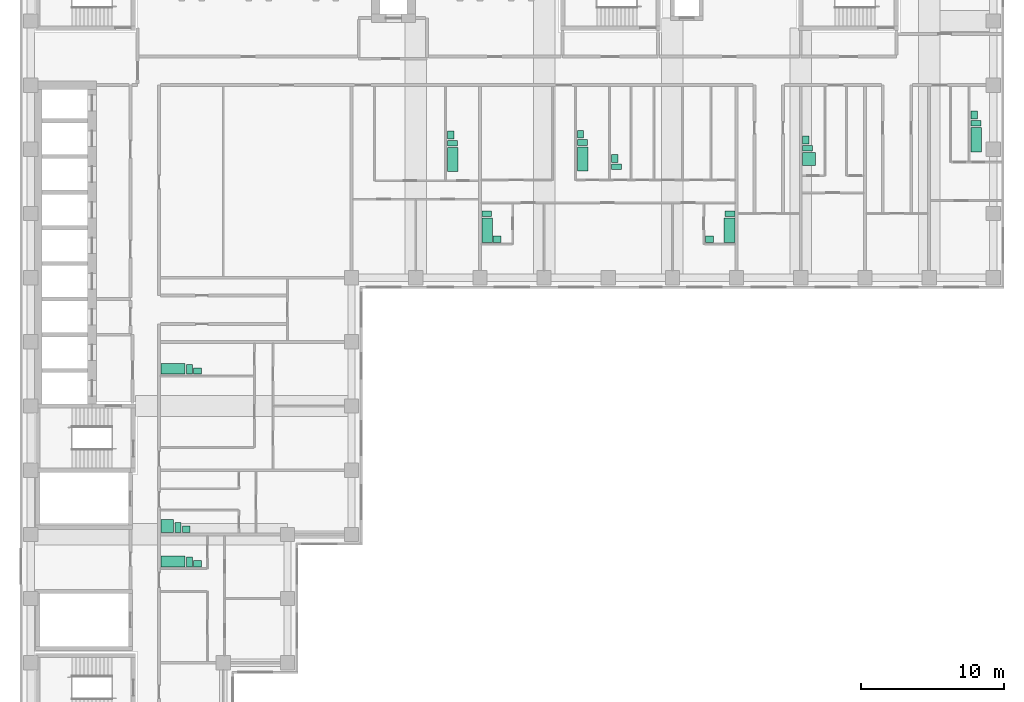
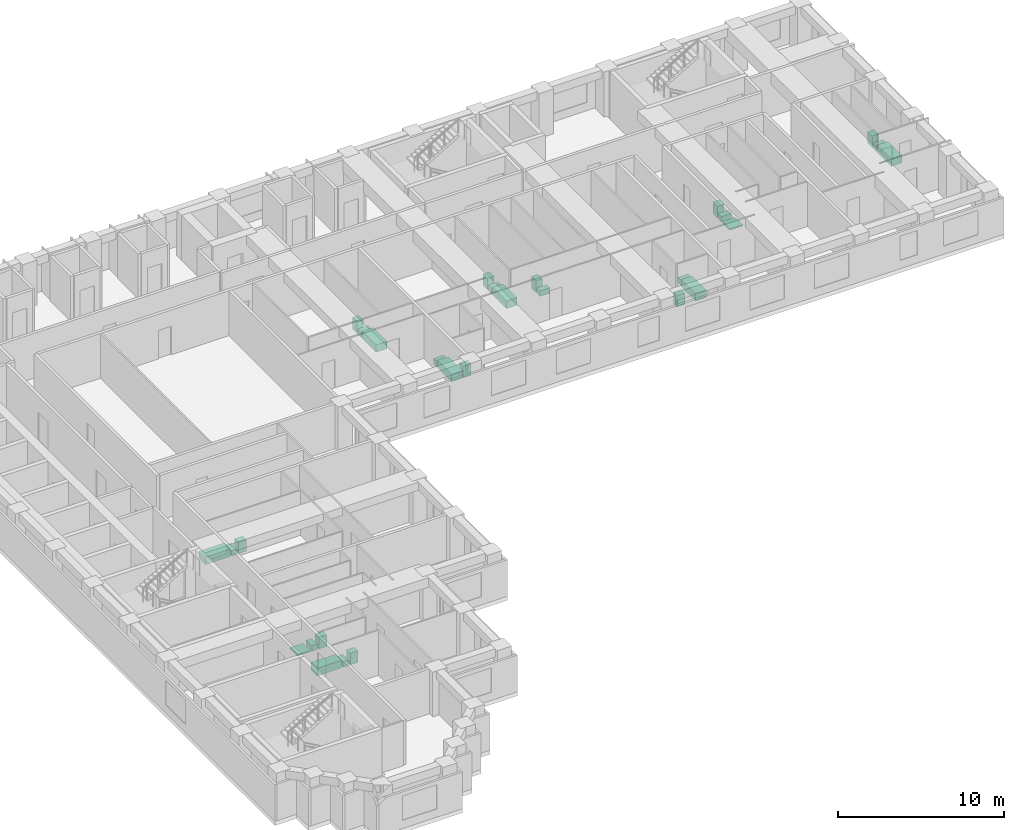
# One storey, part 12 of 12: 29 sanitary terminals.
"""IFC4 building model written with IfcOpenShell, lengths in metres."""

import ifcopenshell
import ifcopenshell.guid

model = None  # the IFC model being written
_history = None  # IfcOwnerHistory: only IFC2X3 demands one
_inside = {}  # id of a spatial element -> (the spatial element, [elements in it])
_under = {}  # id of a project, library or spatial element -> (it, [spatial elements below it])
_declared = {}  # id of a project -> (the project, [libraries it declares])
_typed = {}  # id of a type object -> (the type object, [elements of that type])
_made_of = {}  # id of a material, layer set ... -> (it, [elements and type objects made of it])


def new_model(schema):
    """Start an empty IFC model of exactly this schema.

    Asked for "IFC4X3", IfcOpenShell would pick the latest addendum, in which some entities
    have other attributes; the version numbers below select the first issue.
    IFC2X3 requires an IfcOwnerHistory on every rooted entity: one is made here for all.
    """
    global model, _history
    if schema == "IFC4X3":
        model = ifcopenshell.file(schema_version=(4, 3, 0, 0))
    else:
        model = ifcopenshell.file(schema=schema)
    _inside.clear()
    _under.clear()
    _declared.clear()
    _typed.clear()
    _made_of.clear()
    _history = None
    if model.schema == "IFC2X3":
        org = make("IfcOrganization", Name="unknown")
        user = make(
            "IfcPersonAndOrganization",
            ThePerson=make("IfcPerson", FamilyName="unknown"),
            TheOrganization=org,
        )
        app = make(
            "IfcApplication",
            ApplicationDeveloper=org,
            Version="unknown",
            ApplicationFullName="unknown",
            ApplicationIdentifier="unknown",
        )
        _history = make(
            "IfcOwnerHistory",
            OwningUser=user,
            OwningApplication=app,
            ChangeAction="ADDED",
            CreationDate=0,
        )
    return model


def make(cls, **values):
    """One entity of the class cls with the attributes given. An attribute that is None is left unset."""
    return model.create_entity(
        cls, **{name: value for name, value in values.items() if value is not None}
    )


def rooted(cls, **values):
    """An entity with a GlobalId (a new one), such as an element, a storey or a relation."""
    return make(cls, GlobalId=ifcopenshell.guid.new(), OwnerHistory=_history, **values)


def si_unit(unit_type, name, prefix=None):
    """IfcSIUnit, for example si_unit("LENGTHUNIT", "METRE", prefix="MILLI")."""
    return make("IfcSIUnit", UnitType=unit_type, Prefix=prefix, Name=name)


def assignment(units):
    """IfcUnitAssignment: the units of a project."""
    return None if units is None else make("IfcUnitAssignment", Units=units)


def point(xyz):
    """IfcCartesianPoint."""
    return None if xyz is None else make("IfcCartesianPoint", Coordinates=xyz)


def direction(xyz):
    """IfcDirection."""
    return None if xyz is None else make("IfcDirection", DirectionRatios=xyz)


def frame(location, z_axis=None, x_axis=None):
    """IfcAxis2Placement3D, a coordinate frame: its origin and axes. An axis left out is left unset."""
    return make(
        "IfcAxis2Placement3D",
        Location=point(location),
        Axis=direction(z_axis),
        RefDirection=direction(x_axis),
    )


def frame_2d(location, x_axis=None):
    """IfcAxis2Placement2D, a coordinate frame in the plane: its origin and x axis."""
    return make(
        "IfcAxis2Placement2D", Location=point(location), RefDirection=direction(x_axis)
    )


def origin():
    """The frame at (0, 0, 0) with its axes left unset."""
    return frame((0.0, 0.0, 0.0))


def origin_2d():
    """The frame at (0, 0) in the plane with its x axis left unset."""
    return frame_2d((0.0, 0.0))


def place(relative_to, where):
    """IfcLocalPlacement: puts the frame where relative to a parent placement (None: the world)."""
    return make(
        "IfcLocalPlacement", PlacementRelTo=relative_to, RelativePlacement=where
    )


def context(
    kind, dimensions, precision=None, world=None, true_north=None, identifier=None
):
    """IfcGeometricRepresentationContext, for example the 3D "Model" context."""
    return make(
        "IfcGeometricRepresentationContext",
        ContextIdentifier=identifier,
        ContextType=kind,
        CoordinateSpaceDimension=dimensions,
        Precision=precision,
        WorldCoordinateSystem=world,
        TrueNorth=true_north,
    )


def subcontext(parent, identifier, kind, view, scale=None):
    """IfcGeometricRepresentationSubContext, for example "Body" below "Model"."""
    return make(
        "IfcGeometricRepresentationSubContext",
        ContextIdentifier=identifier,
        ContextType=kind,
        ParentContext=parent,
        TargetScale=scale,
        TargetView=view,
    )


def project(units=None, contexts=None):
    """IfcProject with its units and contexts."""
    return rooted(
        "IfcProject",
        Name="project",
        RepresentationContexts=contexts,
        UnitsInContext=assignment(units),
    )


def spatial(cls, under=None, at=None, **own):
    """A site, building, storey or space (cls), placed at a placement, below another one or the project."""
    s = rooted(cls, ObjectPlacement=at, **own)
    if under is not None:
        _under.setdefault(under.id(), (under, []))[1].append(s)
    return s


def profile(cls, at=None, kind="AREA", **sizes):
    """A parametric profile (cls). Its sizes go by their IFC names, for example OverallWidth=200.0."""
    return make(cls, ProfileType=kind, Position=at, **sizes)


def rectangle(**sizes):
    """IfcRectangleProfileDef."""
    return profile("IfcRectangleProfileDef", **sizes)


def extrude(swept, where, along, depth):
    """IfcExtrudedAreaSolid: the profile swept, set in the frame where, extruded along a direction by depth."""
    return make(
        "IfcExtrudedAreaSolid",
        SweptArea=swept,
        Position=where,
        ExtrudedDirection=direction(along),
        Depth=depth,
    )


def shape(context_of_items, identifier, shape_type, items):
    """IfcShapeRepresentation: the items that make up one representation, for example the "Body"."""
    return make(
        "IfcShapeRepresentation",
        ContextOfItems=context_of_items,
        RepresentationIdentifier=identifier,
        RepresentationType=shape_type,
        Items=items,
    )


def material(Name=None, Category=None):
    """IfcMaterial."""
    return make("IfcMaterial", Name=Name, Category=Category)


def made_of(thing, what):
    """Note that an element or type object is made of a material, layer set ...; save() writes the relation."""
    if what is not None:
        _made_of.setdefault(what.id(), (what, []))[1].append(thing)
    return thing


def type_object(cls, material=None, **own):
    """A type object (cls), such as IfcWallType, which elements share."""
    return made_of(rooted(cls, **own), material)


def element(
    cls,
    number,
    at=None,
    inside=None,
    cuts=None,
    type_object=None,
    material=None,
    context=None,
    identifier="Body",
    shape_type=None,
    held_by="IfcProductDefinitionShape",
    body=None,
    shapes=None,
    **own,
):
    """One element of the class cls, such as IfcWall. Its Tag is "e" and its number.

    at: its placement. inside: the storey or other place that contains it. cuts: it is an
    opening in that element (IfcRelVoidsElement). A single representation is given by context,
    identifier, shape_type and body (its items); several are given by shapes. held_by: the class
    of the entity that holds the representations. save() writes the other relations.
    """
    e = rooted(cls, Tag="e%d" % number, ObjectPlacement=at, **own)
    if body is not None:
        shapes = [shape(context, identifier, shape_type, body)]
    if shapes is not None:
        e.Representation = make(held_by, Representations=shapes)
    if inside is not None:
        _inside.setdefault(inside.id(), (inside, []))[1].append(e)
    if cuts is not None:
        rooted(
            "IfcRelVoidsElement", RelatingBuildingElement=cuts, RelatedOpeningElement=e
        )
    if type_object is not None:
        _typed.setdefault(type_object.id(), (type_object, []))[1].append(e)
    return made_of(e, material)


def aggregate(whole, parts):
    """IfcRelAggregates: a whole, such as a stair, and the parts it consists of."""
    return rooted("IfcRelAggregates", RelatingObject=whole, RelatedObjects=parts)


def save(model, path):
    """Write the relations noted so far, then the file.

    IfcRelAggregates (storeys below a building ...), IfcRelContainedInSpatialStructure (elements
    in a storey), IfcRelDefinesByType, IfcRelAssociatesMaterial and IfcRelDeclares: one each for
    every whole, place, type object, material and project.
    """
    for whole, parts in _under.values():
        aggregate(whole, parts)
    for where, things in _inside.values():
        rooted(
            "IfcRelContainedInSpatialStructure",
            RelatedElements=things,
            RelatingStructure=where,
        )
    for kind, things in _typed.values():
        rooted("IfcRelDefinesByType", RelatedObjects=things, RelatingType=kind)
    for what, things in _made_of.values():
        rooted("IfcRelAssociatesMaterial", RelatedObjects=things, RelatingMaterial=what)
    for by, libraries in _declared.values():
        rooted("IfcRelDeclares", RelatingContext=by, RelatedDefinitions=libraries)
    model.write(path)


model = new_model("IFC4")

# Units and contexts
model_context = context("Model", 3, precision=1e-05, world=origin(), true_north=direction((0.0, 1.0)))
body_context = subcontext(model_context, "Body", "Model", "MODEL_VIEW")
ifc_project = project(units=[si_unit("LENGTHUNIT", "METRE"), si_unit("AREAUNIT", "SQUARE_METRE"), si_unit("VOLUMEUNIT", "CUBIC_METRE"), si_unit("PLANEANGLEUNIT", "RADIAN"), si_unit("MASSUNIT", "GRAM", prefix="KILO")], contexts=[model_context])

# Site, building, storey
site_placement = place(None, origin())
site = spatial("IfcSite", under=ifc_project, at=site_placement, CompositionType="ELEMENT")
building_placement = place(site_placement, origin())
building = spatial("IfcBuilding", under=site, at=building_placement, Name="Firuza Court", CompositionType="ELEMENT")
storey_placement = place(building_placement, frame((0.0, 0.0, 126.800048828125)))
storey = spatial("IfcBuildingStorey", under=building, at=storey_placement, Name="L31", CompositionType="ELEMENT", Elevation=126.800048828125)

# Sanitary terminals
ifc_material_1 = material(Name="Vitreous china", Category="ceramic")
sanitary_terminal_type_1 = type_object("IfcSanitaryTerminalType", Name="Fixture Bath", PredefinedType="BATH", material=ifc_material_1)
for number, where, z_axis, x_axis, name in (
    (1, (29.60498046875, 44.280029296875, 0.0), (0.0, 0.0, 1.0), (1.0, 0.0, 0.0), "Bath"),
    (2, (38.705078125, 44.330078125, 0.0), (0.0, 0.0, 1.0), (1.0, 0.0, 0.0), "Bath"),
    (3, (32.0048828125, 39.330078125, 0.0), (0.0, 0.0, 1.0), (1.0, 0.0, 0.0), "Bath"),
    (4, (48.9951171875, 39.330078125, 0.0), (0.0, 0.0, 1.0), (1.0, 0.0, 0.0), "Bath"),
    (5, (66.304931640625, 45.679931640625, 0.0), (0.0, 0.0, 1.0), (1.0, 0.0, 0.0), "Bath"),
):
    element("IfcSanitaryTerminal", number, at=place(storey_placement, frame(where, z_axis=z_axis, x_axis=x_axis)), inside=storey, type_object=sanitary_terminal_type_1, Name=name, PredefinedType="BATH", context=body_context, shape_type="SweptSolid", body=[
        extrude(rectangle(XDim=0.75, YDim=1.699951171875, at=origin_2d()), origin(), (0.0, 0.0, 1.0), 0.550048828125),
    ])
for number, where, z_axis, x_axis, name in (
    (6, (9.97998046875, 29.60498046875, 0.0), (0.0, 0.0, 1.0), (1.0, 0.0, 0.0), "Bath"),
    (7, (9.97998046875, 16.10498046875, 0.0), (0.0, 0.0, 1.0), (1.0, 0.0, 0.0), "Bath"),
):
    element("IfcSanitaryTerminal", number, at=place(storey_placement, frame(where, z_axis=z_axis, x_axis=x_axis)), inside=storey, type_object=sanitary_terminal_type_1, Name=name, PredefinedType="BATH", context=body_context, shape_type="SweptSolid", body=[
        extrude(rectangle(XDim=1.699951171875, YDim=0.75, at=origin_2d()), origin(), (0.0, 0.0, 1.0), 0.550048828125),
    ])
ifc_material_2 = material(Name="Vitreous china", Category="ceramic")
sanitary_terminal_type_2 = type_object("IfcSanitaryTerminalType", Name="Fixture Shower tray", PredefinedType="SHOWER", material=ifc_material_2)
for number, where, z_axis, x_axis, name in (
    (8, (54.580078125, 44.330078125, 0.0), (0.0, 0.0, 1.0), (1.0, 0.0, 0.0), "Shower tray"),
    (9, (9.580078125, 18.580078125, 0.0), (0.0, 0.0, 1.0), (1.0, 0.0, 0.0), "Shower tray"),
):
    element("IfcSanitaryTerminal", number, at=place(storey_placement, frame(where, z_axis=z_axis, x_axis=x_axis)), inside=storey, type_object=sanitary_terminal_type_2, Name=name, PredefinedType="SHOWER", context=body_context, shape_type="SweptSolid", body=[
        extrude(rectangle(XDim=0.89990234375, YDim=0.89990234375, at=origin_2d()), origin(), (0.0, 0.0, 1.0), 0.10009765625),
    ])
ifc_material_3 = material(Name="Vitreous china", Category="ceramic")
sanitary_terminal_type_3 = type_object("IfcSanitaryTerminalType", Name="Fixture WC pan", PredefinedType="TOILETPAN", material=ifc_material_3)
for number, where, z_axis, x_axis, name in (
    (10, (29.580078125, 45.429931640625, 0.0), (0.0, 0.0, 1.0), (1.0, 0.0, 0.0), "WC pan"),
    (11, (38.679931640625, 45.47998046875, 0.0), (0.0, 0.0, 1.0), (1.0, 0.0, 0.0), "WC pan"),
    (12, (41.080078125, 43.780029296875, 0.0), (0.0, 0.0, 1.0), (1.0, 0.0, 0.0), "WC pan"),
    (13, (31.97998046875, 40.47998046875, 0.0), (0.0, 0.0, 1.0), (1.0, 0.0, 0.0), "WC pan"),
    (14, (49.02001953125, 40.47998046875, 0.0), (0.0, 0.0, 1.0), (1.0, 0.0, 0.0), "WC pan"),
    (15, (54.47998046875, 45.080078125, 0.0), (0.0, 0.0, 1.0), (1.0, 0.0, 0.0), "WC pan"),
    (16, (66.280029296875, 46.830078125, 0.0), (0.0, 0.0, 1.0), (1.0, 0.0, 0.0), "WC pan"),
):
    element("IfcSanitaryTerminal", number, at=place(storey_placement, frame(where, z_axis=z_axis, x_axis=x_axis)), inside=storey, type_object=sanitary_terminal_type_3, Name=name, PredefinedType="TOILETPAN", context=body_context, shape_type="SweptSolid", body=[
        extrude(rectangle(XDim=0.699951171875, YDim=0.39990234375, at=origin_2d()), origin(), (0.0, 0.0, 1.0), 0.39990234375),
    ])
for number, where, z_axis, x_axis, name in (
    (17, (11.1298828125, 29.580078125, 0.0), (0.0, 0.0, 1.0), (1.0, 0.0, 0.0), "WC pan"),
    (18, (10.330078125, 18.47998046875, 0.0), (0.0, 0.0, 1.0), (1.0, 0.0, 0.0), "WC pan"),
    (19, (11.1298828125, 16.080078125, 0.0), (0.0, 0.0, 1.0), (1.0, 0.0, 0.0), "WC pan"),
):
    element("IfcSanitaryTerminal", number, at=place(storey_placement, frame(where, z_axis=z_axis, x_axis=x_axis)), inside=storey, type_object=sanitary_terminal_type_3, Name=name, PredefinedType="TOILETPAN", context=body_context, shape_type="SweptSolid", body=[
        extrude(rectangle(XDim=0.39990234375, YDim=0.699951171875, at=origin_2d()), origin(), (0.0, 0.0, 1.0), 0.39990234375),
    ])
ifc_material_4 = material(Name="Vitreous china", Category="ceramic")
sanitary_terminal_type_4 = type_object("IfcSanitaryTerminalType", Name="Fixture Washbasin", PredefinedType="WASHHANDBASIN", material=ifc_material_4)
for number, where, z_axis, x_axis, name in (
    (20, (29.455078125, 46.0048828125, 0.0), (0.0, 0.0, 1.0), (1.0, 0.0, 0.0), "Washbasin"),
    (21, (38.554931640625, 46.054931640625, 0.0), (0.0, 0.0, 1.0), (1.0, 0.0, 0.0), "Washbasin"),
    (22, (40.955078125, 44.35498046875, 0.0), (0.0, 0.0, 1.0), (1.0, 0.0, 0.0), "Washbasin"),
):
    element("IfcSanitaryTerminal", number, at=place(storey_placement, frame(where, z_axis=z_axis, x_axis=x_axis)), inside=storey, type_object=sanitary_terminal_type_4, Name=name, PredefinedType="WASHHANDBASIN", context=body_context, shape_type="SweptSolid", body=[
        extrude(rectangle(XDim=0.449951171875, YDim=0.550048828125, at=origin_2d()), origin(), (0.0, 0.0, 1.0), 0.85009765625),
    ])
for number, where, z_axis, x_axis, name in (
    (23, (32.705078125, 38.705078125, 0.0), (0.0, 0.0, 1.0), (1.0, 0.0, 0.0), "Washbasin"),
    (24, (47.60498046875, 38.705078125, 0.0), (0.0, 0.0, 1.0), (1.0, 0.0, 0.0), "Washbasin"),
):
    element("IfcSanitaryTerminal", number, at=place(storey_placement, frame(where, z_axis=z_axis, x_axis=x_axis)), inside=storey, type_object=sanitary_terminal_type_4, Name=name, PredefinedType="WASHHANDBASIN", context=body_context, shape_type="SweptSolid", body=[
        extrude(rectangle(XDim=0.550048828125, YDim=0.449951171875, at=origin_2d()), origin(), (0.0, 0.0, 1.0), 0.85009765625),
    ])
for number, where, z_axis, x_axis, name in (
    (25, (54.35498046875, 45.655029296875, 0.0), (0.0, 0.0, 1.0), (1.0, 0.0, 0.0), "Washbasin"),
    (26, (66.155029296875, 47.405029296875, 0.0), (0.0, 0.0, 1.0), (1.0, 0.0, 0.0), "Washbasin"),
):
    element("IfcSanitaryTerminal", number, at=place(storey_placement, frame(where, z_axis=z_axis, x_axis=x_axis)), inside=storey, type_object=sanitary_terminal_type_4, Name=name, PredefinedType="WASHHANDBASIN", context=body_context, shape_type="SweptSolid", body=[
        extrude(rectangle(XDim=0.449951171875, YDim=0.550048828125, at=origin_2d()), origin(), (0.0, 0.0, 1.0), 0.85009765625),
    ])
for number, where, z_axis, x_axis, name in (
    (27, (11.705078125, 29.455078125, 0.0), (0.0, 0.0, 1.0), (1.0, 0.0, 0.0), "Washbasin"),
    (28, (10.905029296875, 18.35498046875, 0.0), (0.0, 0.0, 1.0), (1.0, 0.0, 0.0), "Washbasin"),
    (29, (11.705078125, 15.955078125, 0.0), (0.0, 0.0, 1.0), (1.0, 0.0, 0.0), "Washbasin"),
):
    element("IfcSanitaryTerminal", number, at=place(storey_placement, frame(where, z_axis=z_axis, x_axis=x_axis)), inside=storey, type_object=sanitary_terminal_type_4, Name=name, PredefinedType="WASHHANDBASIN", context=body_context, shape_type="SweptSolid", body=[
        extrude(rectangle(XDim=0.550048828125, YDim=0.449951171875, at=origin_2d()), origin(), (0.0, 0.0, 1.0), 0.85009765625),
    ])

save(model, "model.ifc")
